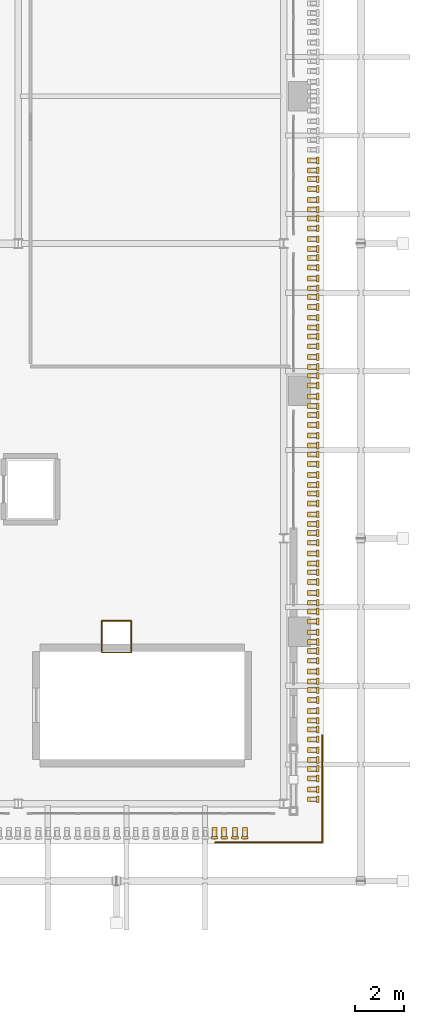
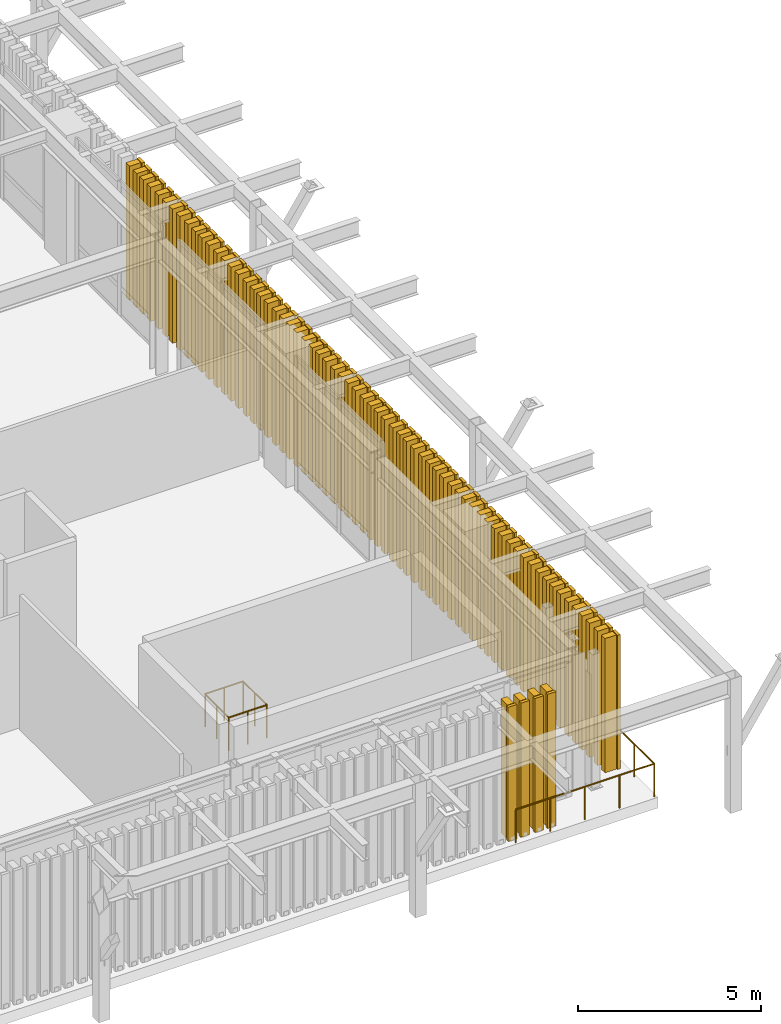
# One storey, part 118 of 126: 70 coverings, 70 shading devices, 2 railings.
"""IFC4 building model written with IfcOpenShell, lengths in metres."""

from ifc_helpers import new_model, si_unit, derived_unit, direction, frame, origin, origin_2d, place, context, subcontext, project, spatial, rectangle, circle, extrude, material, layer, layer_set, material_profile, profile_set, type_object, element, save


model = new_model("IFC4")

# Units and contexts
model_context = context("Model", 3, precision=1e-05, world=origin(), true_north=direction((0.0, 1.0)))
body_context = subcontext(model_context, "Body", "Model", "MODEL_VIEW")
ifc_project = project(units=[si_unit("LENGTHUNIT", "METRE"), si_unit("AREAUNIT", "SQUARE_METRE"), si_unit("VOLUMEUNIT", "CUBIC_METRE"), si_unit("PLANEANGLEUNIT", "RADIAN"), si_unit("MASSUNIT", "GRAM", prefix="KILO"), derived_unit("THERMALTRANSMITTANCEUNIT", [(si_unit("MASSUNIT", "GRAM", prefix="KILO"), 1), (si_unit("TIMEUNIT", "SECOND"), -3), (si_unit("THERMODYNAMICTEMPERATUREUNIT", "KELVIN"), -1)])], contexts=[model_context])

# Site, building, storey
site_placement = place(None, origin())
site = spatial("IfcSite", under=ifc_project, at=site_placement, CompositionType="ELEMENT")
building_placement = place(site_placement, origin())
building = spatial("IfcBuilding", under=site, at=building_placement, Name="Valcora Ridge Arena", CompositionType="ELEMENT")
storey_placement = place(building_placement, frame((0.0, 0.0, 11.39990234375)))
storey = spatial("IfcBuildingStorey", under=building, at=storey_placement, Name="L02", CompositionType="ELEMENT", Elevation=11.39990234375)

# Coverings
ifc_material_1 = material(Name="Anodised terracotta-bronze aluminium lancet batten 6063-T6", Category="masonry")
ifc_layer = layer(ifc_material_1, 0.199951171875, Name="Anodised terracotta-bronze aluminium lancet batten 6063-T6")
ifc_layer_set = layer_set([ifc_layer], Name="Anodised terracotta-bronze aluminium lancet batten 6063-T6")
covering_type = type_object("IfcCoveringType", Name="TY-COVERING-BAT-LANCET-448", PredefinedType="CLADDING", material=ifc_layer_set)
for number, where, z_axis, x_axis, name in (
    (1, (187.949951171875, 5.3798828125, 0.0), (0.0, 0.0, 1.0), (1.0, 0.0, 0.0), "BAT-LANCET-448 COV-BT-0002"),
    (2, (187.949951171875, 5.780029296875, 0.0), (0.0, 0.0, 1.0), (1.0, 0.0, 0.0), "BAT-LANCET-448 COV-BT-0004"),
    (3, (187.949951171875, 6.219970703125, 0.0), (0.0, 0.0, 1.0), (1.0, 0.0, 0.0), "BAT-LANCET-448 COV-BT-0006"),
    (4, (187.949951171875, 6.6201171875, 0.0), (0.0, 0.0, 1.0), (1.0, 0.0, 0.0), "BAT-LANCET-448 COV-BT-0008"),
    (5, (187.949951171875, 6.97998046875, 0.0), (0.0, 0.0, 1.0), (1.0, 0.0, 0.0), "BAT-LANCET-448 COV-BT-0010"),
    (6, (187.949951171875, 7.3798828125, 0.0), (0.0, 0.0, 1.0), (1.0, 0.0, 0.0), "BAT-LANCET-448 COV-BT-0012"),
    (7, (187.949951171875, 7.820068359375, 0.0), (0.0, 0.0, 1.0), (1.0, 0.0, 0.0), "BAT-LANCET-448 COV-BT-0014"),
    (8, (187.949951171875, 8.219970703125, 0.0), (0.0, 0.0, 1.0), (1.0, 0.0, 0.0), "BAT-LANCET-448 COV-BT-0016"),
    (9, (187.949951171875, 8.580078125, 0.0), (0.0, 0.0, 1.0), (1.0, 0.0, 0.0), "BAT-LANCET-448 COV-BT-0018"),
    (10, (187.949951171875, 8.97998046875, 0.0), (0.0, 0.0, 1.0), (1.0, 0.0, 0.0), "BAT-LANCET-448 COV-BT-0020"),
    (11, (187.949951171875, 9.419921875, 0.0), (0.0, 0.0, 1.0), (1.0, 0.0, 0.0), "BAT-LANCET-448 COV-BT-0022"),
    (12, (187.949951171875, 9.820068359375, 0.0), (0.0, 0.0, 1.0), (1.0, 0.0, 0.0), "BAT-LANCET-448 COV-BT-0024"),
    (13, (187.949951171875, 10.179931640625, 0.0), (0.0, 0.0, 1.0), (1.0, 0.0, 0.0), "BAT-LANCET-448 COV-BT-0026"),
    (14, (187.949951171875, 10.580078125, 0.0), (0.0, 0.0, 1.0), (1.0, 0.0, 0.0), "BAT-LANCET-448 COV-BT-0028"),
    (15, (187.949951171875, 11.02001953125, 0.0), (0.0, 0.0, 1.0), (1.0, 0.0, 0.0), "BAT-LANCET-448 COV-BT-0030"),
    (16, (187.949951171875, 11.419921875, 0.0), (0.0, 0.0, 1.0), (1.0, 0.0, 0.0), "BAT-LANCET-448 COV-BT-0032"),
    (17, (187.949951171875, 11.780029296875, 0.0), (0.0, 0.0, 1.0), (1.0, 0.0, 0.0), "BAT-LANCET-448 COV-BT-0034"),
    (18, (187.949951171875, 12.179931640625, 0.0), (0.0, 0.0, 1.0), (1.0, 0.0, 0.0), "BAT-LANCET-448 COV-BT-0036"),
    (19, (187.949951171875, 12.6201171875, 0.0), (0.0, 0.0, 1.0), (1.0, 0.0, 0.0), "BAT-LANCET-448 COV-BT-0038"),
    (20, (187.949951171875, 13.02001953125, 0.0), (0.0, 0.0, 1.0), (1.0, 0.0, 0.0), "BAT-LANCET-448 COV-BT-0040"),
    (21, (187.949951171875, 13.3798828125, 0.0), (0.0, 0.0, 1.0), (1.0, 0.0, 0.0), "BAT-LANCET-448 COV-BT-0042"),
    (22, (187.949951171875, 13.780029296875, 0.0), (0.0, 0.0, 1.0), (1.0, 0.0, 0.0), "BAT-LANCET-448 COV-BT-0044"),
    (23, (187.949951171875, 14.219970703125, 0.0), (0.0, 0.0, 1.0), (1.0, 0.0, 0.0), "BAT-LANCET-448 COV-BT-0046"),
    (24, (187.949951171875, 14.6201171875, 0.0), (0.0, 0.0, 1.0), (1.0, 0.0, 0.0), "BAT-LANCET-448 COV-BT-0048"),
    (25, (187.949951171875, 14.97998046875, 0.0), (0.0, 0.0, 1.0), (1.0, 0.0, 0.0), "BAT-LANCET-448 COV-BT-0050"),
    (26, (187.949951171875, 15.3798828125, 0.0), (0.0, 0.0, 1.0), (1.0, 0.0, 0.0), "BAT-LANCET-448 COV-BT-0052"),
    (27, (187.949951171875, 15.820068359375, 0.0), (0.0, 0.0, 1.0), (1.0, 0.0, 0.0), "BAT-LANCET-448 COV-BT-0054"),
    (28, (187.949951171875, 16.219970703125, 0.0), (0.0, 0.0, 1.0), (1.0, 0.0, 0.0), "BAT-LANCET-448 COV-BT-0056"),
    (29, (187.949951171875, 16.580078125, 0.0), (0.0, 0.0, 1.0), (1.0, 0.0, 0.0), "BAT-LANCET-448 COV-BT-0058"),
    (30, (187.949951171875, 16.97998046875, 0.0), (0.0, 0.0, 1.0), (1.0, 0.0, 0.0), "BAT-LANCET-448 COV-BT-0060"),
    (31, (187.949951171875, 17.419921875, 0.0), (0.0, 0.0, 1.0), (1.0, 0.0, 0.0), "BAT-LANCET-448 COV-BT-0062"),
    (32, (187.949951171875, 17.820068359375, 0.0), (0.0, 0.0, 1.0), (1.0, 0.0, 0.0), "BAT-LANCET-448 COV-BT-0064"),
    (33, (187.949951171875, 18.179931640625, 0.0), (0.0, 0.0, 1.0), (1.0, 0.0, 0.0), "BAT-LANCET-448 COV-BT-0066"),
    (34, (187.949951171875, 18.580078125, 0.0), (0.0, 0.0, 1.0), (1.0, 0.0, 0.0), "BAT-LANCET-448 COV-BT-0068"),
    (35, (187.949951171875, 19.02001953125, 0.0), (0.0, 0.0, 1.0), (1.0, 0.0, 0.0), "BAT-LANCET-448 COV-BT-0070"),
    (36, (187.949951171875, 19.419921875, 0.0), (0.0, 0.0, 1.0), (1.0, 0.0, 0.0), "BAT-LANCET-448 COV-BT-0072"),
    (37, (187.949951171875, 19.780029296875, 0.0), (0.0, 0.0, 1.0), (1.0, 0.0, 0.0), "BAT-LANCET-448 COV-BT-0074"),
    (38, (187.949951171875, 20.179931640625, 0.0), (0.0, 0.0, 1.0), (1.0, 0.0, 0.0), "BAT-LANCET-448 COV-BT-0076"),
    (39, (187.949951171875, 20.6201171875, 0.0), (0.0, 0.0, 1.0), (1.0, 0.0, 0.0), "BAT-LANCET-448 COV-BT-0078"),
    (40, (187.949951171875, 21.02001953125, 0.0), (0.0, 0.0, 1.0), (1.0, 0.0, 0.0), "BAT-LANCET-448 COV-BT-0080"),
    (41, (187.949951171875, 21.3798828125, 0.0), (0.0, 0.0, 1.0), (1.0, 0.0, 0.0), "BAT-LANCET-448 COV-BT-0082"),
    (42, (187.949951171875, 21.780029296875, 0.0), (0.0, 0.0, 1.0), (1.0, 0.0, 0.0), "BAT-LANCET-448 COV-BT-0084"),
    (43, (187.949951171875, 22.219970703125, 0.0), (0.0, 0.0, 1.0), (1.0, 0.0, 0.0), "BAT-LANCET-448 COV-BT-0086"),
    (44, (187.949951171875, 22.6201171875, 0.0), (0.0, 0.0, 1.0), (1.0, 0.0, 0.0), "BAT-LANCET-448 COV-BT-0088"),
    (45, (187.949951171875, 22.97998046875, 0.0), (0.0, 0.0, 1.0), (1.0, 0.0, 0.0), "BAT-LANCET-448 COV-BT-0090"),
    (46, (187.949951171875, 23.3798828125, 0.0), (0.0, 0.0, 1.0), (1.0, 0.0, 0.0), "BAT-LANCET-448 COV-BT-0092"),
    (47, (187.949951171875, 23.820068359375, 0.0), (0.0, 0.0, 1.0), (1.0, 0.0, 0.0), "BAT-LANCET-448 COV-BT-0094"),
    (48, (187.949951171875, 24.219970703125, 0.0), (0.0, 0.0, 1.0), (1.0, 0.0, 0.0), "BAT-LANCET-448 COV-BT-0096"),
    (49, (187.949951171875, 24.580078125, 0.0), (0.0, 0.0, 1.0), (1.0, 0.0, 0.0), "BAT-LANCET-448 COV-BT-0098"),
    (50, (187.949951171875, 24.97998046875, 0.0), (0.0, 0.0, 1.0), (1.0, 0.0, 0.0), "BAT-LANCET-448 COV-BT-0100"),
    (51, (187.949951171875, 25.419921875, 0.0), (0.0, 0.0, 1.0), (1.0, 0.0, 0.0), "BAT-LANCET-448 COV-BT-0102"),
    (52, (187.949951171875, 25.820068359375, 0.0), (0.0, 0.0, 1.0), (1.0, 0.0, 0.0), "BAT-LANCET-448 COV-BT-0104"),
    (53, (187.949951171875, 26.179931640625, 0.0), (0.0, 0.0, 1.0), (1.0, 0.0, 0.0), "BAT-LANCET-448 COV-BT-0106"),
    (54, (187.949951171875, 26.580078125, 0.0), (0.0, 0.0, 1.0), (1.0, 0.0, 0.0), "BAT-LANCET-448 COV-BT-0108"),
    (55, (187.949951171875, 27.02001953125, 0.0), (0.0, 0.0, 1.0), (1.0, 0.0, 0.0), "BAT-LANCET-448 COV-BT-0110"),
    (56, (187.949951171875, 27.419921875, 0.0), (0.0, 0.0, 1.0), (1.0, 0.0, 0.0), "BAT-LANCET-448 COV-BT-0112"),
    (57, (187.949951171875, 27.780029296875, 0.0), (0.0, 0.0, 1.0), (1.0, 0.0, 0.0), "BAT-LANCET-448 COV-BT-0114"),
    (58, (187.949951171875, 28.179931640625, 0.0), (0.0, 0.0, 1.0), (1.0, 0.0, 0.0), "BAT-LANCET-448 COV-BT-0116"),
    (59, (187.949951171875, 28.6201171875, 0.0), (0.0, 0.0, 1.0), (1.0, 0.0, 0.0), "BAT-LANCET-448 COV-BT-0118"),
    (60, (187.949951171875, 29.02001953125, 0.0), (0.0, 0.0, 1.0), (1.0, 0.0, 0.0), "BAT-LANCET-448 COV-BT-0120"),
    (61, (187.949951171875, 29.3798828125, 0.0), (0.0, 0.0, 1.0), (1.0, 0.0, 0.0), "BAT-LANCET-448 COV-BT-0122"),
    (62, (187.949951171875, 29.780029296875, 0.0), (0.0, 0.0, 1.0), (1.0, 0.0, 0.0), "BAT-LANCET-448 COV-BT-0124"),
    (63, (187.949951171875, 30.219970703125, 0.0), (0.0, 0.0, 1.0), (1.0, 0.0, 0.0), "BAT-LANCET-448 COV-BT-0126"),
    (64, (187.949951171875, 30.6201171875, 0.0), (0.0, 0.0, 1.0), (1.0, 0.0, 0.0), "BAT-LANCET-448 COV-BT-0128"),
    (65, (187.949951171875, 30.97998046875, 0.0), (0.0, 0.0, 1.0), (1.0, 0.0, 0.0), "BAT-LANCET-448 COV-BT-0130"),
    (66, (187.949951171875, 31.3798828125, 0.0), (0.0, 0.0, 1.0), (1.0, 0.0, 0.0), "BAT-LANCET-448 COV-BT-0132"),
):
    element("IfcCovering", number, at=place(storey_placement, frame(where, z_axis=z_axis, x_axis=x_axis)), inside=storey, type_object=covering_type, Name=name, PredefinedType="CLADDING", context=body_context, shape_type="SweptSolid", body=[
        extrude(rectangle(XDim=0.360107421875, YDim=0.199951171875, at=origin_2d()), origin(), (0.0, 0.0, 1.0), 4.47998046875),
    ])
for number, where, z_axis, x_axis, name in (
    (67, (183.97998046875, 4.050048828125, 0.0), (0.0, 0.0, 1.0), (1.0, 0.0, 0.0), "BAT-LANCET-448 COV-BT-0555"),
    (68, (184.3798828125, 4.050048828125, 0.0), (0.0, 0.0, 1.0), (1.0, 0.0, 0.0), "BAT-LANCET-448 COV-BT-0557"),
    (69, (184.820068359375, 4.050048828125, 0.0), (0.0, 0.0, 1.0), (1.0, 0.0, 0.0), "BAT-LANCET-448 COV-BT-0559"),
    (70, (185.219970703125, 4.050048828125, 0.0), (0.0, 0.0, 1.0), (1.0, 0.0, 0.0), "BAT-LANCET-448 COV-BT-0561"),
):
    element("IfcCovering", number, at=place(storey_placement, frame(where, z_axis=z_axis, x_axis=x_axis)), inside=storey, type_object=covering_type, Name=name, PredefinedType="CLADDING", context=body_context, shape_type="SweptSolid", body=[
        extrude(rectangle(XDim=0.199951171875, YDim=0.360107421875, at=origin_2d()), origin(), (0.0, 0.0, 1.0), 4.47998046875),
    ])

# Railings
ifc_material_2 = material(Name="Galvanized painted steel ASTM A500 Grade B", Category="steel")
railing_type = type_object("IfcRailingType", Name="TY-RAILING-GRD-VOID-1120", PredefinedType="GUARDRAIL", material=ifc_material_2)
railing_1_placement = place(storey_placement, frame((179.39990234375, 11.35009765625, 0.0)))
element("IfcRailing", 71, at=railing_1_placement, inside=storey, type_object=railing_type, Name="GRD-VOID-1120 RAL-DK-0025", PredefinedType="GUARDRAIL", context=body_context, shape_type="SweptSolid", body=[
    extrude(circle(Radius=0.02392578125, at=origin_2d()), frame((0.0, 0.0, 1.09619140625), z_axis=(1.0, 0.0, 0.0), x_axis=(0.0, 1.0, 0.0)), (0.0, 0.0, 1.0), 1.2001953125),
    extrude(circle(Radius=0.02392578125, at=origin_2d()), frame((1.2001953125, 0.0, 1.09619140625), z_axis=(0.0, 1.0, 0.0), x_axis=(-1.0, 0.0, 0.0)), (0.0, 0.0, 1.0), 1.2998046875),
    extrude(circle(Radius=0.02392578125, at=origin_2d()), frame((1.2001953125, 1.2998046875, 1.09619140625), z_axis=(-1.0, 0.0, 0.0), x_axis=(0.0, -1.0, 0.0)), (0.0, 0.0, 1.0), 1.2001953125),
    extrude(circle(Radius=0.02392578125, at=origin_2d()), frame((0.0, 1.2998046875, 1.09619140625), z_axis=(0.0, -1.0, 0.0), x_axis=(1.0, 0.0, 0.0)), (0.0, 0.0, 1.0), 1.2998046875),
    extrude(circle(Radius=0.02099609375, at=origin_2d()), origin(), (0.0, 0.0, 1.0), 1.072021484375),
    extrude(circle(Radius=0.02099609375, at=origin_2d()), frame((0.60009765625, 0.0, 0.0)), (0.0, 0.0, 1.0), 1.072021484375),
    extrude(circle(Radius=0.02099609375, at=origin_2d()), frame((1.2001953125, 0.0, 0.0)), (0.0, 0.0, 1.0), 1.072021484375),
    extrude(circle(Radius=0.02099609375, at=origin_2d()), frame((1.2001953125, 0.64990234375, 0.0)), (0.0, 0.0, 1.0), 1.072021484375),
    extrude(circle(Radius=0.02099609375, at=origin_2d()), frame((1.2001953125, 1.2998046875, 0.0)), (0.0, 0.0, 1.0), 1.072021484375),
    extrude(circle(Radius=0.02099609375, at=origin_2d()), frame((0.60009765625, 1.2998046875, 0.0)), (0.0, 0.0, 1.0), 1.072021484375),
    extrude(circle(Radius=0.02099609375, at=origin_2d()), frame((0.0, 1.2998046875, 0.0)), (0.0, 0.0, 1.0), 1.072021484375),
    extrude(circle(Radius=0.02099609375, at=origin_2d()), frame((0.0, 0.64990234375, 0.0)), (0.0, 0.0, 1.0), 1.072021484375),
])
railing_2_placement = place(storey_placement, frame((184.0, 3.6298828125, 0.0)))
element("IfcRailing", 72, at=railing_2_placement, inside=storey, type_object=railing_type, Name="GRD-VOID-1120 RAL-DK-0029", PredefinedType="GUARDRAIL", context=body_context, shape_type="SweptSolid", body=[
    extrude(circle(Radius=0.02392578125, at=origin_2d()), frame((0.0, 0.0, 1.09619140625), z_axis=(1.0, 0.0, 0.0), x_axis=(0.0, 1.0, 0.0)), (0.0, 0.0, 1.0), 4.3701171875),
    extrude(circle(Radius=0.02392578125, at=origin_2d()), frame((4.3701171875, 0.0, 1.09619140625), z_axis=(0.0, 1.0, 0.0), x_axis=(-1.0, 0.0, 0.0)), (0.0, 0.0, 1.0), 4.3701171875),
    extrude(circle(Radius=0.02099609375, at=origin_2d()), origin(), (0.0, 0.0, 1.0), 1.072021484375),
    extrude(circle(Radius=0.02099609375, at=origin_2d()), frame((1.092529296875, 0.0, 0.0)), (0.0, 0.0, 1.0), 1.072021484375),
    extrude(circle(Radius=0.02099609375, at=origin_2d()), frame((2.18505859375, 0.0, 0.0)), (0.0, 0.0, 1.0), 1.072021484375),
    extrude(circle(Radius=0.02099609375, at=origin_2d()), frame((3.277587890625, 0.0, 0.0)), (0.0, 0.0, 1.0), 1.072021484375),
    extrude(circle(Radius=0.02099609375, at=origin_2d()), frame((4.3701171875, 0.0, 0.0)), (0.0, 0.0, 1.0), 1.072021484375),
    extrude(circle(Radius=0.02099609375, at=origin_2d()), frame((4.3701171875, 1.092529296875, 0.0)), (0.0, 0.0, 1.0), 1.072021484375),
    extrude(circle(Radius=0.02099609375, at=origin_2d()), frame((4.3701171875, 2.18505859375, 0.0)), (0.0, 0.0, 1.0), 1.072021484375),
    extrude(circle(Radius=0.02099609375, at=origin_2d()), frame((4.3701171875, 3.277587890625, 0.0)), (0.0, 0.0, 1.0), 1.072021484375),
    extrude(circle(Radius=0.02099609375, at=origin_2d()), frame((4.3701171875, 4.3701171875, 0.0)), (0.0, 0.0, 1.0), 1.072021484375),
])

# Shading devices
ifc_material_profile = material_profile(ifc_material_1, rectangle(XDim=0.090087890625, YDim=0.27587890625, at=origin_2d()), Name="ALU LANCET BATTEN 90x276")
ifc_profile_set = profile_set([ifc_material_profile], Name="Anodised terracotta-bronze aluminium lancet batten 6063-T6")
shading_device_type = type_object("IfcShadingDeviceType", Name="TY-SHADINGDEVICE-FIN-LANCET-448", PredefinedType="JALOUSIE", material=ifc_profile_set)
for number, where, z_axis, x_axis, name in (
    (73, (188.18994140625, 5.3798828125, 0.0), (0.0, 0.0, 1.0), (1.0, 0.0, 0.0), "FIN-LANCET-448 SHD-FN-0002"),
    (74, (188.18994140625, 5.780029296875, 0.0), (0.0, 0.0, 1.0), (1.0, 0.0, 0.0), "FIN-LANCET-448 SHD-FN-0004"),
    (75, (188.18994140625, 6.219970703125, 0.0), (0.0, 0.0, 1.0), (1.0, 0.0, 0.0), "FIN-LANCET-448 SHD-FN-0006"),
    (76, (188.18994140625, 6.6201171875, 0.0), (0.0, 0.0, 1.0), (1.0, 0.0, 0.0), "FIN-LANCET-448 SHD-FN-0008"),
    (77, (188.18994140625, 6.97998046875, 0.0), (0.0, 0.0, 1.0), (1.0, 0.0, 0.0), "FIN-LANCET-448 SHD-FN-0010"),
    (78, (188.18994140625, 7.3798828125, 0.0), (0.0, 0.0, 1.0), (1.0, 0.0, 0.0), "FIN-LANCET-448 SHD-FN-0012"),
    (79, (188.18994140625, 7.820068359375, 0.0), (0.0, 0.0, 1.0), (1.0, 0.0, 0.0), "FIN-LANCET-448 SHD-FN-0014"),
    (80, (188.18994140625, 8.219970703125, 0.0), (0.0, 0.0, 1.0), (1.0, 0.0, 0.0), "FIN-LANCET-448 SHD-FN-0016"),
    (81, (188.18994140625, 8.580078125, 0.0), (0.0, 0.0, 1.0), (1.0, 0.0, 0.0), "FIN-LANCET-448 SHD-FN-0018"),
    (82, (188.18994140625, 8.97998046875, 0.0), (0.0, 0.0, 1.0), (1.0, 0.0, 0.0), "FIN-LANCET-448 SHD-FN-0020"),
    (83, (188.18994140625, 9.419921875, 0.0), (0.0, 0.0, 1.0), (1.0, 0.0, 0.0), "FIN-LANCET-448 SHD-FN-0022"),
    (84, (188.18994140625, 9.820068359375, 0.0), (0.0, 0.0, 1.0), (1.0, 0.0, 0.0), "FIN-LANCET-448 SHD-FN-0024"),
    (85, (188.18994140625, 10.179931640625, 0.0), (0.0, 0.0, 1.0), (1.0, 0.0, 0.0), "FIN-LANCET-448 SHD-FN-0026"),
    (86, (188.18994140625, 10.580078125, 0.0), (0.0, 0.0, 1.0), (1.0, 0.0, 0.0), "FIN-LANCET-448 SHD-FN-0028"),
    (87, (188.18994140625, 11.02001953125, 0.0), (0.0, 0.0, 1.0), (1.0, 0.0, 0.0), "FIN-LANCET-448 SHD-FN-0030"),
    (88, (188.18994140625, 11.419921875, 0.0), (0.0, 0.0, 1.0), (1.0, 0.0, 0.0), "FIN-LANCET-448 SHD-FN-0032"),
    (89, (188.18994140625, 11.780029296875, 0.0), (0.0, 0.0, 1.0), (1.0, 0.0, 0.0), "FIN-LANCET-448 SHD-FN-0034"),
    (90, (188.18994140625, 12.179931640625, 0.0), (0.0, 0.0, 1.0), (1.0, 0.0, 0.0), "FIN-LANCET-448 SHD-FN-0036"),
    (91, (188.18994140625, 12.6201171875, 0.0), (0.0, 0.0, 1.0), (1.0, 0.0, 0.0), "FIN-LANCET-448 SHD-FN-0038"),
    (92, (188.18994140625, 13.02001953125, 0.0), (0.0, 0.0, 1.0), (1.0, 0.0, 0.0), "FIN-LANCET-448 SHD-FN-0040"),
    (93, (188.18994140625, 13.3798828125, 0.0), (0.0, 0.0, 1.0), (1.0, 0.0, 0.0), "FIN-LANCET-448 SHD-FN-0042"),
    (94, (188.18994140625, 13.780029296875, 0.0), (0.0, 0.0, 1.0), (1.0, 0.0, 0.0), "FIN-LANCET-448 SHD-FN-0044"),
    (95, (188.18994140625, 14.219970703125, 0.0), (0.0, 0.0, 1.0), (1.0, 0.0, 0.0), "FIN-LANCET-448 SHD-FN-0046"),
    (96, (188.18994140625, 14.6201171875, 0.0), (0.0, 0.0, 1.0), (1.0, 0.0, 0.0), "FIN-LANCET-448 SHD-FN-0048"),
    (97, (188.18994140625, 14.97998046875, 0.0), (0.0, 0.0, 1.0), (1.0, 0.0, 0.0), "FIN-LANCET-448 SHD-FN-0050"),
    (98, (188.18994140625, 15.3798828125, 0.0), (0.0, 0.0, 1.0), (1.0, 0.0, 0.0), "FIN-LANCET-448 SHD-FN-0052"),
    (99, (188.18994140625, 15.820068359375, 0.0), (0.0, 0.0, 1.0), (1.0, 0.0, 0.0), "FIN-LANCET-448 SHD-FN-0054"),
    (100, (188.18994140625, 16.219970703125, 0.0), (0.0, 0.0, 1.0), (1.0, 0.0, 0.0), "FIN-LANCET-448 SHD-FN-0056"),
    (101, (188.18994140625, 16.580078125, 0.0), (0.0, 0.0, 1.0), (1.0, 0.0, 0.0), "FIN-LANCET-448 SHD-FN-0058"),
    (102, (188.18994140625, 16.97998046875, 0.0), (0.0, 0.0, 1.0), (1.0, 0.0, 0.0), "FIN-LANCET-448 SHD-FN-0060"),
    (103, (188.18994140625, 17.419921875, 0.0), (0.0, 0.0, 1.0), (1.0, 0.0, 0.0), "FIN-LANCET-448 SHD-FN-0062"),
    (104, (188.18994140625, 17.820068359375, 0.0), (0.0, 0.0, 1.0), (1.0, 0.0, 0.0), "FIN-LANCET-448 SHD-FN-0064"),
    (105, (188.18994140625, 18.179931640625, 0.0), (0.0, 0.0, 1.0), (1.0, 0.0, 0.0), "FIN-LANCET-448 SHD-FN-0066"),
    (106, (188.18994140625, 18.580078125, 0.0), (0.0, 0.0, 1.0), (1.0, 0.0, 0.0), "FIN-LANCET-448 SHD-FN-0068"),
    (107, (188.18994140625, 19.02001953125, 0.0), (0.0, 0.0, 1.0), (1.0, 0.0, 0.0), "FIN-LANCET-448 SHD-FN-0070"),
    (108, (188.18994140625, 19.419921875, 0.0), (0.0, 0.0, 1.0), (1.0, 0.0, 0.0), "FIN-LANCET-448 SHD-FN-0072"),
    (109, (188.18994140625, 19.780029296875, 0.0), (0.0, 0.0, 1.0), (1.0, 0.0, 0.0), "FIN-LANCET-448 SHD-FN-0074"),
    (110, (188.18994140625, 20.179931640625, 0.0), (0.0, 0.0, 1.0), (1.0, 0.0, 0.0), "FIN-LANCET-448 SHD-FN-0076"),
    (111, (188.18994140625, 20.6201171875, 0.0), (0.0, 0.0, 1.0), (1.0, 0.0, 0.0), "FIN-LANCET-448 SHD-FN-0078"),
    (112, (188.18994140625, 21.02001953125, 0.0), (0.0, 0.0, 1.0), (1.0, 0.0, 0.0), "FIN-LANCET-448 SHD-FN-0080"),
    (113, (188.18994140625, 21.3798828125, 0.0), (0.0, 0.0, 1.0), (1.0, 0.0, 0.0), "FIN-LANCET-448 SHD-FN-0082"),
    (114, (188.18994140625, 21.780029296875, 0.0), (0.0, 0.0, 1.0), (1.0, 0.0, 0.0), "FIN-LANCET-448 SHD-FN-0084"),
    (115, (188.18994140625, 22.219970703125, 0.0), (0.0, 0.0, 1.0), (1.0, 0.0, 0.0), "FIN-LANCET-448 SHD-FN-0086"),
    (116, (188.18994140625, 22.6201171875, 0.0), (0.0, 0.0, 1.0), (1.0, 0.0, 0.0), "FIN-LANCET-448 SHD-FN-0088"),
    (117, (188.18994140625, 22.97998046875, 0.0), (0.0, 0.0, 1.0), (1.0, 0.0, 0.0), "FIN-LANCET-448 SHD-FN-0090"),
    (118, (188.18994140625, 23.3798828125, 0.0), (0.0, 0.0, 1.0), (1.0, 0.0, 0.0), "FIN-LANCET-448 SHD-FN-0092"),
    (119, (188.18994140625, 23.820068359375, 0.0), (0.0, 0.0, 1.0), (1.0, 0.0, 0.0), "FIN-LANCET-448 SHD-FN-0094"),
    (120, (188.18994140625, 24.219970703125, 0.0), (0.0, 0.0, 1.0), (1.0, 0.0, 0.0), "FIN-LANCET-448 SHD-FN-0096"),
    (121, (188.18994140625, 24.580078125, 0.0), (0.0, 0.0, 1.0), (1.0, 0.0, 0.0), "FIN-LANCET-448 SHD-FN-0098"),
    (122, (188.18994140625, 24.97998046875, 0.0), (0.0, 0.0, 1.0), (1.0, 0.0, 0.0), "FIN-LANCET-448 SHD-FN-0100"),
    (123, (188.18994140625, 25.419921875, 0.0), (0.0, 0.0, 1.0), (1.0, 0.0, 0.0), "FIN-LANCET-448 SHD-FN-0102"),
    (124, (188.18994140625, 25.820068359375, 0.0), (0.0, 0.0, 1.0), (1.0, 0.0, 0.0), "FIN-LANCET-448 SHD-FN-0104"),
    (125, (188.18994140625, 26.179931640625, 0.0), (0.0, 0.0, 1.0), (1.0, 0.0, 0.0), "FIN-LANCET-448 SHD-FN-0106"),
    (126, (188.18994140625, 26.580078125, 0.0), (0.0, 0.0, 1.0), (1.0, 0.0, 0.0), "FIN-LANCET-448 SHD-FN-0108"),
    (127, (188.18994140625, 27.02001953125, 0.0), (0.0, 0.0, 1.0), (1.0, 0.0, 0.0), "FIN-LANCET-448 SHD-FN-0110"),
    (128, (188.18994140625, 27.419921875, 0.0), (0.0, 0.0, 1.0), (1.0, 0.0, 0.0), "FIN-LANCET-448 SHD-FN-0112"),
    (129, (188.18994140625, 27.780029296875, 0.0), (0.0, 0.0, 1.0), (1.0, 0.0, 0.0), "FIN-LANCET-448 SHD-FN-0114"),
    (130, (188.18994140625, 28.179931640625, 0.0), (0.0, 0.0, 1.0), (1.0, 0.0, 0.0), "FIN-LANCET-448 SHD-FN-0116"),
    (131, (188.18994140625, 28.6201171875, 0.0), (0.0, 0.0, 1.0), (1.0, 0.0, 0.0), "FIN-LANCET-448 SHD-FN-0118"),
    (132, (188.18994140625, 29.02001953125, 0.0), (0.0, 0.0, 1.0), (1.0, 0.0, 0.0), "FIN-LANCET-448 SHD-FN-0120"),
    (133, (188.18994140625, 29.3798828125, 0.0), (0.0, 0.0, 1.0), (1.0, 0.0, 0.0), "FIN-LANCET-448 SHD-FN-0122"),
    (134, (188.18994140625, 29.780029296875, 0.0), (0.0, 0.0, 1.0), (1.0, 0.0, 0.0), "FIN-LANCET-448 SHD-FN-0124"),
    (135, (188.18994140625, 30.219970703125, 0.0), (0.0, 0.0, 1.0), (1.0, 0.0, 0.0), "FIN-LANCET-448 SHD-FN-0126"),
    (136, (188.18994140625, 30.6201171875, 0.0), (0.0, 0.0, 1.0), (1.0, 0.0, 0.0), "FIN-LANCET-448 SHD-FN-0128"),
    (137, (188.18994140625, 30.97998046875, 0.0), (0.0, 0.0, 1.0), (1.0, 0.0, 0.0), "FIN-LANCET-448 SHD-FN-0130"),
    (138, (188.18994140625, 31.3798828125, 0.0), (0.0, 0.0, 1.0), (1.0, 0.0, 0.0), "FIN-LANCET-448 SHD-FN-0132"),
    (139, (183.97998046875, 3.81005859375, 0.0), (0.0, 0.0, 1.0), (0.0, 1.0, 0.0), "FIN-LANCET-448 SHD-FN-0555"),
    (140, (184.3798828125, 3.81005859375, 0.0), (0.0, 0.0, 1.0), (0.0, 1.0, 0.0), "FIN-LANCET-448 SHD-FN-0557"),
    (141, (184.820068359375, 3.81005859375, 0.0), (0.0, 0.0, 1.0), (0.0, 1.0, 0.0), "FIN-LANCET-448 SHD-FN-0559"),
    (142, (185.219970703125, 3.81005859375, 0.0), (0.0, 0.0, 1.0), (0.0, 1.0, 0.0), "FIN-LANCET-448 SHD-FN-0561"),
):
    element("IfcShadingDevice", number, at=place(storey_placement, frame(where, z_axis=z_axis, x_axis=x_axis)), inside=storey, type_object=shading_device_type, Name=name, PredefinedType="JALOUSIE", context=body_context, shape_type="SweptSolid", body=[
        extrude(rectangle(XDim=0.090087890625, YDim=0.27587890625, at=origin_2d()), origin(), (0.0, 0.0, 1.0), 4.47998046875),
    ])

save(model, "model.ifc")
